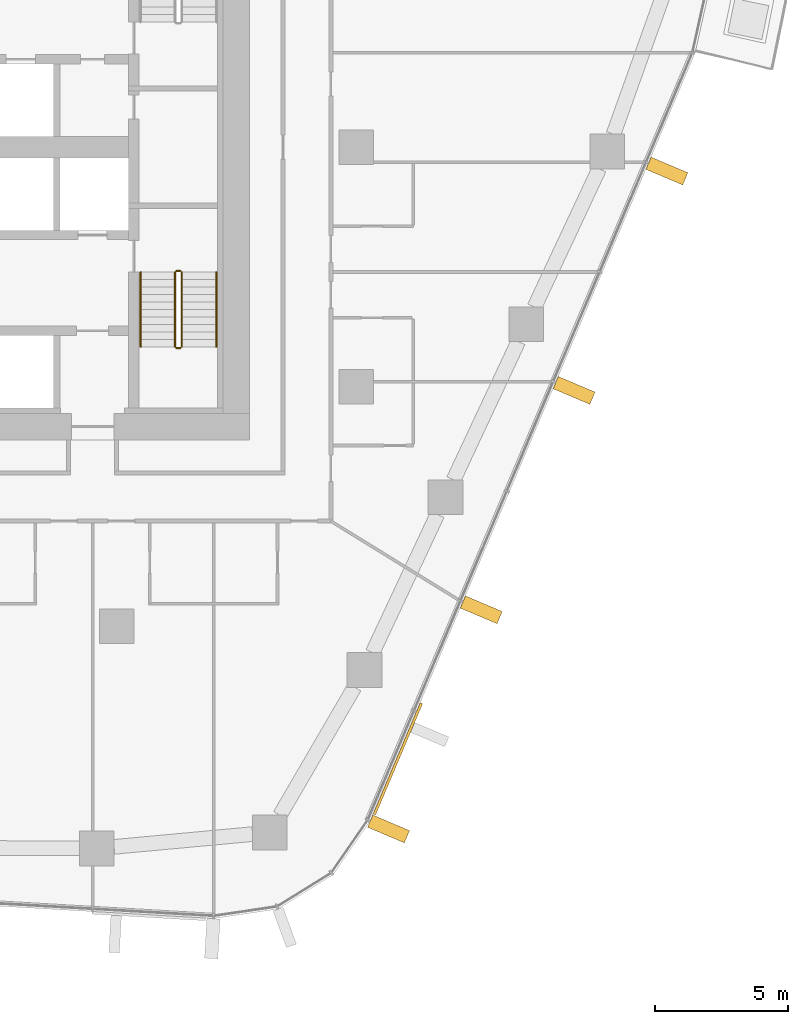
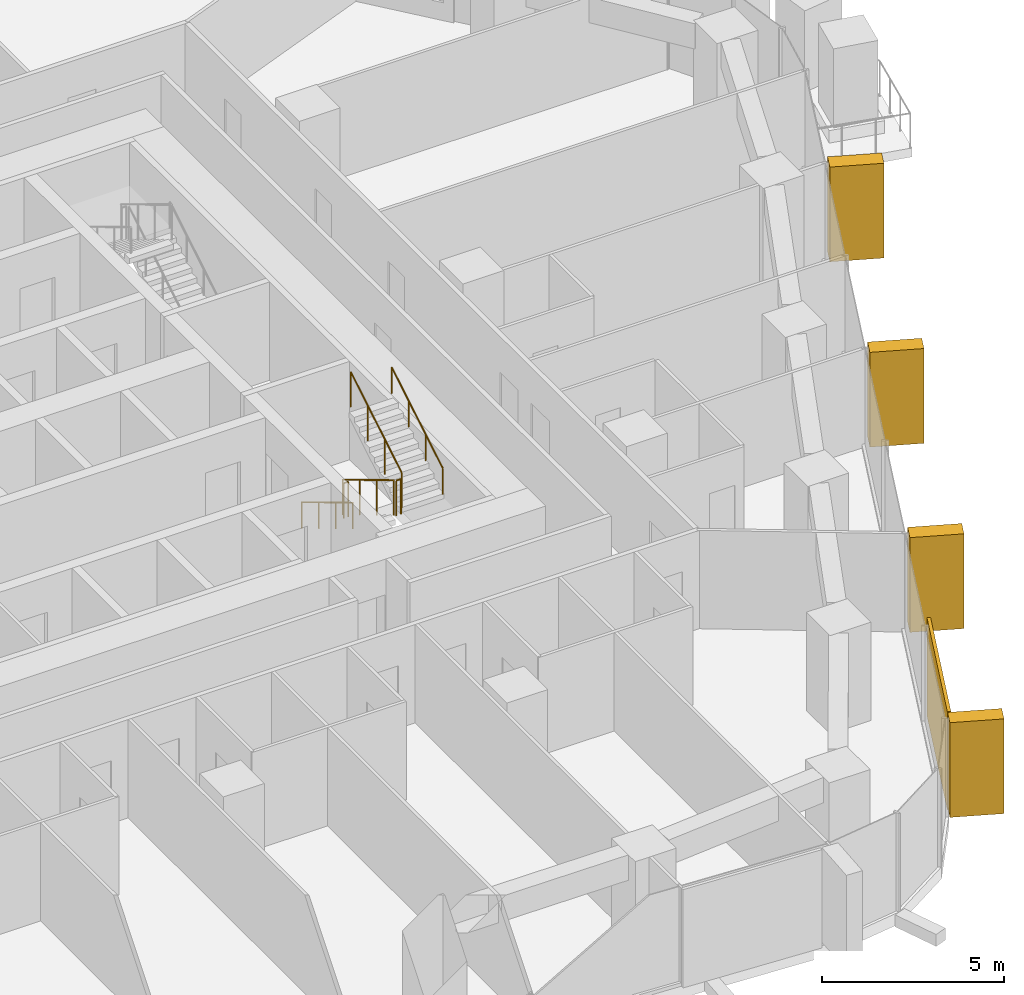
# One storey, part 21 of 24: 6 railings, 5 coverings, 1 element without a shape of its own.
"""IFC4 building model written with IfcOpenShell, lengths in metres."""

from ifc_helpers import new_model, si_unit, direction, frame, origin, origin_2d, place, context, subcontext, project, spatial, rectangle, circle, extrude, material, layer, layer_set, material_profile, profile_set, type_object, element, aggregate, save


model = new_model("IFC4")

# Units and contexts
model_context = context("Model", 3, precision=1e-05, world=origin(), true_north=direction((0.0, 1.0)))
body_context = subcontext(model_context, "Body", "Model", "MODEL_VIEW")
ifc_project = project(units=[si_unit("LENGTHUNIT", "METRE"), si_unit("AREAUNIT", "SQUARE_METRE"), si_unit("VOLUMEUNIT", "CUBIC_METRE"), si_unit("PLANEANGLEUNIT", "RADIAN"), si_unit("MASSUNIT", "GRAM", prefix="KILO")], contexts=[model_context])

# Site, building, storey
site_placement = place(None, origin())
site = spatial("IfcSite", under=ifc_project, at=site_placement, CompositionType="ELEMENT")
building_placement = place(site_placement, origin())
building = spatial("IfcBuilding", under=site, at=building_placement, Name="Dongbaek Canopy Tower", CompositionType="ELEMENT")
storey_placement = place(building_placement, frame((0.0, 0.0, 124.800048828125)))
storey = spatial("IfcBuildingStorey", under=building, at=storey_placement, Name="L27", CompositionType="ELEMENT", Elevation=124.800048828125)

# Curtain wall, coverings
ifc_material_1 = material(Name="Aluminium 6063-T6 pale anodised", Category="aluminium")
ifc_layer_1 = layer(ifc_material_1, 0.199951171875)
ifc_layer_set_1 = layer_set([ifc_layer_1], Name="CW-1 unitised tower curtain wall")
curtain_wall_type = type_object("IfcCurtainWallType", Name="CW-1 unitised tower curtain wall", PredefinedType="NOTDEFINED", material=ifc_layer_set_1)
curtain_wall_placement = place(storey_placement, origin())
curtain_wall = element("IfcCurtainWall", 1, at=curtain_wall_placement, inside=storey, type_object=curtain_wall_type, Name="CW-1 curtain wall F5.1", PredefinedType="NOTDEFINED")
ifc_material_2 = material(Name="Perforated aluminium 6063-T6 pale metal screen", Category="aluminium")
ifc_layer_2 = layer(ifc_material_2, 0.10009765625)
ifc_layer_set_2 = layer_set([ifc_layer_2], Name="Facet screen FS1 100 pale metal")
covering_type_1 = type_object("IfcCoveringType", Name="Facet screen FS1 100 pale metal", PredefinedType="CLADDING", material=ifc_layer_set_2)
covering_1_placement = place(storey_placement, frame((19.568115234375, -22.983154296875, 0.0), z_axis=(0.0, 0.0, 1.0), x_axis=(0.389662487162, 0.920957733069, 0.0)))
covering_1 = element("IfcCovering", 2, at=covering_1_placement, type_object=covering_type_1, Name="Facet screen L27 F5", PredefinedType="CLADDING", context=body_context, shape_type="SweptSolid", body=[
    extrude(rectangle(XDim=4.541015625, YDim=0.10009765625, at=origin_2d()), origin(), (0.0, 0.0, 1.0), 3.300048828125),
])
ifc_material_3 = material(Name="Aluminium 6063-T6 pale metal fin", Category="aluminium")
ifc_material_profile = material_profile(ifc_material_3, rectangle(XDim=1.5, YDim=0.5, at=origin_2d()), Name="Fin FN1 500 x 1500 pale metal")
ifc_profile_set = profile_set([ifc_material_profile], Name="Aluminium 6063-T6 pale metal fin")
covering_type_2 = type_object("IfcCoveringType", Name="Fin FN1 500 x 1500 pale metal", PredefinedType="CLADDING", material=ifc_profile_set)
covering_2_placement = place(storey_placement, frame((19.21875, -25.615478515625, 0.119873046875), z_axis=(0.0, 0.0, 1.0), x_axis=(0.920957724744, -0.389662506836, 0.0)))
covering_2 = element("IfcCovering", 3, at=covering_2_placement, type_object=covering_type_2, Name="Fin F5.1.1", PredefinedType="CLADDING", context=body_context, shape_type="SweptSolid", body=[
    extrude(rectangle(XDim=1.5, YDim=0.5, at=origin_2d()), origin(), (0.0, 0.0, 1.0), 3.18017578125),
])
covering_3_placement = place(storey_placement, frame((22.701904296875, -17.383056640625, 0.119873046875), z_axis=(0.0, 0.0, 1.0), x_axis=(0.920957724744, -0.389662506836, 0.0)))
covering_3 = element("IfcCovering", 4, at=covering_3_placement, type_object=covering_type_2, Name="Fin F5.1.3", PredefinedType="CLADDING", context=body_context, shape_type="SweptSolid", body=[
    extrude(rectangle(XDim=1.5, YDim=0.5, at=origin_2d()), origin(), (0.0, 0.0, 1.0), 3.18017578125),
])
covering_4_placement = place(storey_placement, frame((26.189208984375, -9.14111328125, 0.119873046875), z_axis=(0.0, 0.0, 1.0), x_axis=(0.920957724744, -0.389662506836, 0.0)))
covering_4 = element("IfcCovering", 5, at=covering_4_placement, type_object=covering_type_2, Name="Fin F5.1.5", PredefinedType="CLADDING", context=body_context, shape_type="SweptSolid", body=[
    extrude(rectangle(XDim=1.5, YDim=0.5, at=origin_2d()), origin(), (0.0, 0.0, 1.0), 3.18017578125),
])
covering_5_placement = place(storey_placement, frame((29.67626953125, -0.899169921875, 0.119873046875), z_axis=(0.0, 0.0, 1.0), x_axis=(0.920957724744, -0.389662506836, 0.0)))
covering_5 = element("IfcCovering", 6, at=covering_5_placement, type_object=covering_type_2, Name="Fin F5.1.7", PredefinedType="CLADDING", context=body_context, shape_type="SweptSolid", body=[
    extrude(rectangle(XDim=1.5, YDim=0.5, at=origin_2d()), origin(), (0.0, 0.0, 1.0), 3.18017578125),
])
aggregate(curtain_wall, [covering_2, covering_3, covering_4, covering_5, covering_1])

# Railings
ifc_material_4 = material(Name="Stainless steel tube and balusters", Category="steel")
railing_type_1 = type_object("IfcRailingType", Name="Stair guard 1200", PredefinedType="GUARDRAIL", material=ifc_material_4)
railing_1_placement = place(storey_placement, frame((11.199951171875, -4.699951171875, 0.168212890625)))
element("IfcRailing", 7, at=railing_1_placement, inside=storey, type_object=railing_type_1, Name="L27 ST-B stair guard 1", PredefinedType="GUARDRAIL", context=body_context, shape_type="SweptSolid", body=[
    extrude(circle(Radius=0.02392578125, at=origin_2d()), frame((0.0, 0.0, 1.17578125), z_axis=(0.0, -0.857275202839, 0.514858452973), x_axis=(1.0, 0.0, 0.0)), (0.0, 0.0, 1.0), 3.26611328125),
    extrude(circle(Radius=0.02099609375, at=origin_2d()), origin(), (0.0, 0.0, 1.0), 1.15185546875),
    extrude(circle(Radius=0.02099609375, at=origin_2d()), frame((0.0, -0.933349609375, 0.560546875)), (0.0, 0.0, 1.0), 1.15185546875),
    extrude(circle(Radius=0.02099609375, at=origin_2d()), frame((0.0, -1.86669921875, 1.12109375)), (0.0, 0.0, 1.0), 1.15185546875),
    extrude(circle(Radius=0.02099609375, at=origin_2d()), frame((0.0, -2.800048828125, 1.681640625)), (0.0, 0.0, 1.0), 1.15185546875),
])
railing_2_placement = place(storey_placement, frame((11.25, -7.550048828125, 1.849853515625)))
element("IfcRailing", 8, at=railing_2_placement, inside=storey, type_object=railing_type_1, Name="L27 ST-B stair guard 2", PredefinedType="GUARDRAIL", context=body_context, shape_type="SweptSolid", body=[
    extrude(circle(Radius=0.02392578125, at=origin_2d()), frame((0.0, 0.0, 1.17578125), z_axis=(1.0, 0.0, 0.0), x_axis=(0.0, 1.0, 0.0)), (0.0, 0.0, 1.0), 0.14990234375),
    extrude(circle(Radius=0.02099609375, at=origin_2d()), origin(), (0.0, 0.0, 1.0), 1.15185546875),
    extrude(circle(Radius=0.02099609375, at=origin_2d()), frame((0.14990234375, 0.0, 0.0)), (0.0, 0.0, 1.0), 1.15185546875),
])
railing_3_placement = place(storey_placement, frame((11.449951171875, -7.5, 2.01806640625)))
element("IfcRailing", 9, at=railing_3_placement, inside=storey, type_object=railing_type_1, Name="L27 ST-B stair guard 3", PredefinedType="GUARDRAIL", context=body_context, shape_type="SweptSolid", body=[
    extrude(circle(Radius=0.02392578125, at=origin_2d()), frame((0.0, 0.0, 1.17578125), z_axis=(0.0, 0.857242210791, 0.514913383045), x_axis=(-1.0, 0.0, 0.0)), (0.0, 0.0, 1.0), 3.266357421875),
    extrude(circle(Radius=0.02099609375, at=origin_2d()), origin(), (0.0, 0.0, 1.0), 1.15185546875),
    extrude(circle(Radius=0.02099609375, at=origin_2d()), frame((0.0, 0.933349609375, 0.560546875)), (0.0, 0.0, 1.0), 1.15185546875),
    extrude(circle(Radius=0.02099609375, at=origin_2d()), frame((0.0, 1.86669921875, 1.121337890625)), (0.0, 0.0, 1.0), 1.15185546875),
    extrude(circle(Radius=0.02099609375, at=origin_2d()), frame((0.0, 2.800048828125, 1.681884765625)), (0.0, 0.0, 1.0), 1.15185546875),
])
railing_4_placement = place(storey_placement, frame((11.25, -4.64990234375, 0.0)))
element("IfcRailing", 10, at=railing_4_placement, inside=storey, type_object=railing_type_1, Name="L27 ST-B stair guard 4", PredefinedType="GUARDRAIL", context=body_context, shape_type="SweptSolid", body=[
    extrude(circle(Radius=0.02392578125, at=origin_2d()), frame((0.0, 0.0, 1.17578125), z_axis=(1.0, 0.0, 0.0), x_axis=(0.0, 1.0, 0.0)), (0.0, 0.0, 1.0), 0.14990234375),
    extrude(circle(Radius=0.02099609375, at=origin_2d()), origin(), (0.0, 0.0, 1.0), 1.15185546875),
    extrude(circle(Radius=0.02099609375, at=origin_2d()), frame((0.14990234375, 0.0, 0.0)), (0.0, 0.0, 1.0), 1.15185546875),
])
ifc_material_5 = material(Name="Stainless steel tube", Category="steel")
railing_type_2 = type_object("IfcRailingType", Name="Stair handrail 900", PredefinedType="HANDRAIL", material=ifc_material_5)
railing_5_placement = place(storey_placement, frame((9.89990234375, -4.699951171875, 0.168212890625)))
element("IfcRailing", 11, at=railing_5_placement, inside=storey, type_object=railing_type_2, Name="L27 ST-B stair handrail 1", PredefinedType="HANDRAIL", context=body_context, shape_type="SweptSolid", body=[
    extrude(circle(Radius=0.02392578125, at=origin_2d()), frame((0.0, 0.0, 0.8759765625), z_axis=(0.0, -0.857275202839, 0.514858452973), x_axis=(1.0, 0.0, 0.0)), (0.0, 0.0, 1.0), 3.26611328125),
    extrude(circle(Radius=0.02099609375, at=origin_2d()), origin(), (0.0, 0.0, 1.0), 0.851806640625),
    extrude(circle(Radius=0.02099609375, at=origin_2d()), frame((0.0, -0.933349609375, 0.560546875)), (0.0, 0.0, 1.0), 0.851806640625),
    extrude(circle(Radius=0.02099609375, at=origin_2d()), frame((0.0, -1.86669921875, 1.12109375)), (0.0, 0.0, 1.0), 0.851806640625),
    extrude(circle(Radius=0.02099609375, at=origin_2d()), frame((0.0, -2.800048828125, 1.681640625)), (0.0, 0.0, 1.0), 0.851806640625),
])
railing_6_placement = place(storey_placement, frame((12.75, -7.5, 2.01806640625)))
element("IfcRailing", 12, at=railing_6_placement, inside=storey, type_object=railing_type_2, Name="L27 ST-B stair handrail 2", PredefinedType="HANDRAIL", context=body_context, shape_type="SweptSolid", body=[
    extrude(circle(Radius=0.02392578125, at=origin_2d()), frame((0.0, 0.0, 0.8759765625), z_axis=(0.0, 0.857242210791, 0.514913383045), x_axis=(-1.0, 0.0, 0.0)), (0.0, 0.0, 1.0), 3.266357421875),
    extrude(circle(Radius=0.02099609375, at=origin_2d()), origin(), (0.0, 0.0, 1.0), 0.851806640625),
    extrude(circle(Radius=0.02099609375, at=origin_2d()), frame((0.0, 0.933349609375, 0.560546875)), (0.0, 0.0, 1.0), 0.851806640625),
    extrude(circle(Radius=0.02099609375, at=origin_2d()), frame((0.0, 1.86669921875, 1.121337890625)), (0.0, 0.0, 1.0), 0.851806640625),
    extrude(circle(Radius=0.02099609375, at=origin_2d()), frame((0.0, 2.800048828125, 1.681884765625)), (0.0, 0.0, 1.0), 0.851806640625),
])

save(model, "model.ifc")
